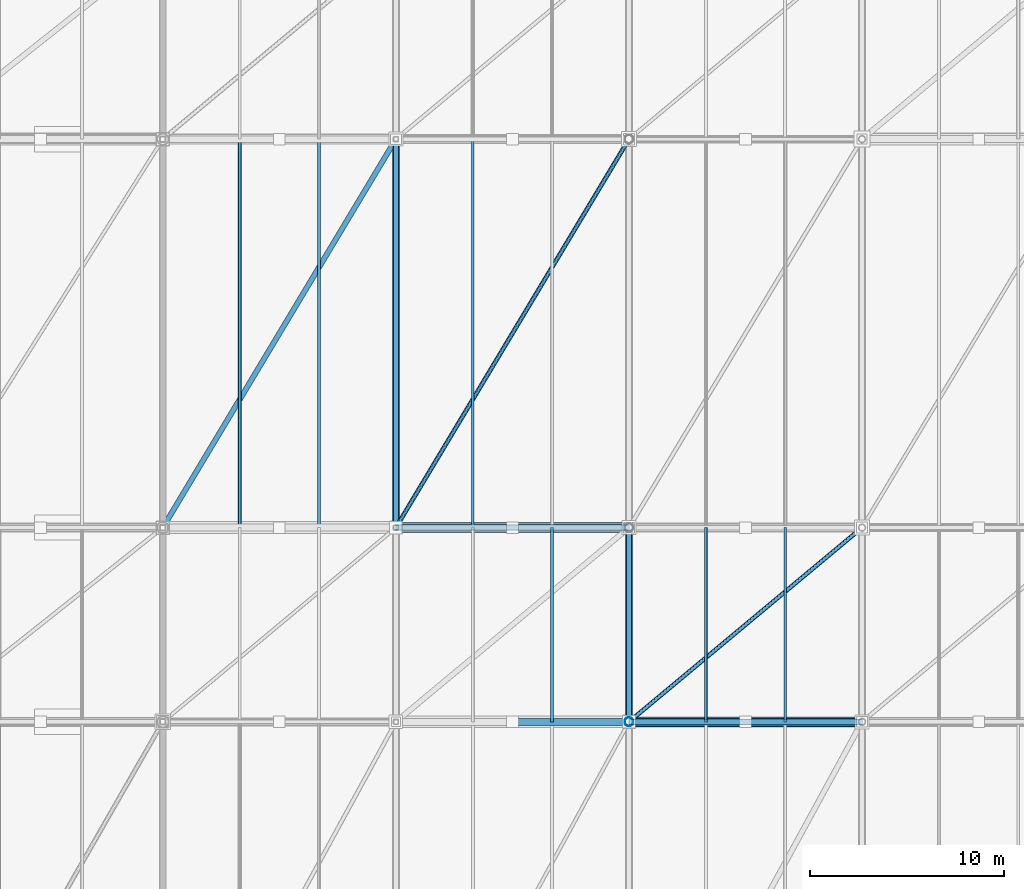
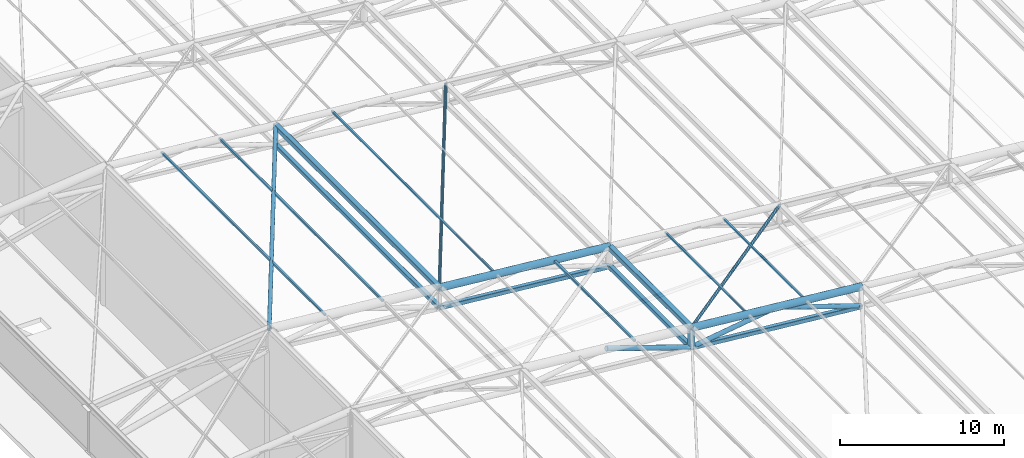
# One storey, part 14 of 44: 21 members.
"""IFC4 building model written with IfcOpenShell, lengths in metres."""

import ifcopenshell
import ifcopenshell.guid

model = None  # the IFC model being written
_history = None  # IfcOwnerHistory: only IFC2X3 demands one
_inside = {}  # id of a spatial element -> (the spatial element, [elements in it])
_under = {}  # id of a project, library or spatial element -> (it, [spatial elements below it])
_declared = {}  # id of a project -> (the project, [libraries it declares])
_typed = {}  # id of a type object -> (the type object, [elements of that type])
_made_of = {}  # id of a material, layer set ... -> (it, [elements and type objects made of it])


def new_model(schema):
    """Start an empty IFC model of exactly this schema.

    Asked for "IFC4X3", IfcOpenShell would pick the latest addendum, in which some entities
    have other attributes; the version numbers below select the first issue.
    IFC2X3 requires an IfcOwnerHistory on every rooted entity: one is made here for all.
    """
    global model, _history
    if schema == "IFC4X3":
        model = ifcopenshell.file(schema_version=(4, 3, 0, 0))
    else:
        model = ifcopenshell.file(schema=schema)
    _inside.clear()
    _under.clear()
    _declared.clear()
    _typed.clear()
    _made_of.clear()
    _history = None
    if model.schema == "IFC2X3":
        org = make("IfcOrganization", Name="unknown")
        user = make(
            "IfcPersonAndOrganization",
            ThePerson=make("IfcPerson", FamilyName="unknown"),
            TheOrganization=org,
        )
        app = make(
            "IfcApplication",
            ApplicationDeveloper=org,
            Version="unknown",
            ApplicationFullName="unknown",
            ApplicationIdentifier="unknown",
        )
        _history = make(
            "IfcOwnerHistory",
            OwningUser=user,
            OwningApplication=app,
            ChangeAction="ADDED",
            CreationDate=0,
        )
    return model


def make(cls, **values):
    """One entity of the class cls with the attributes given. An attribute that is None is left unset."""
    return model.create_entity(
        cls, **{name: value for name, value in values.items() if value is not None}
    )


def rooted(cls, **values):
    """An entity with a GlobalId (a new one), such as an element, a storey or a relation."""
    return make(cls, GlobalId=ifcopenshell.guid.new(), OwnerHistory=_history, **values)


def si_unit(unit_type, name, prefix=None):
    """IfcSIUnit, for example si_unit("LENGTHUNIT", "METRE", prefix="MILLI")."""
    return make("IfcSIUnit", UnitType=unit_type, Prefix=prefix, Name=name)


def assignment(units):
    """IfcUnitAssignment: the units of a project."""
    return None if units is None else make("IfcUnitAssignment", Units=units)


def point(xyz):
    """IfcCartesianPoint."""
    return None if xyz is None else make("IfcCartesianPoint", Coordinates=xyz)


def direction(xyz):
    """IfcDirection."""
    return None if xyz is None else make("IfcDirection", DirectionRatios=xyz)


def frame(location, z_axis=None, x_axis=None):
    """IfcAxis2Placement3D, a coordinate frame: its origin and axes. An axis left out is left unset."""
    return make(
        "IfcAxis2Placement3D",
        Location=point(location),
        Axis=direction(z_axis),
        RefDirection=direction(x_axis),
    )


def frame_2d(location, x_axis=None):
    """IfcAxis2Placement2D, a coordinate frame in the plane: its origin and x axis."""
    return make(
        "IfcAxis2Placement2D", Location=point(location), RefDirection=direction(x_axis)
    )


def origin():
    """The frame at (0, 0, 0) with its axes left unset."""
    return frame((0.0, 0.0, 0.0))


def origin_2d():
    """The frame at (0, 0) in the plane with its x axis left unset."""
    return frame_2d((0.0, 0.0))


def place(relative_to, where):
    """IfcLocalPlacement: puts the frame where relative to a parent placement (None: the world)."""
    return make(
        "IfcLocalPlacement", PlacementRelTo=relative_to, RelativePlacement=where
    )


def context(
    kind, dimensions, precision=None, world=None, true_north=None, identifier=None
):
    """IfcGeometricRepresentationContext, for example the 3D "Model" context."""
    return make(
        "IfcGeometricRepresentationContext",
        ContextIdentifier=identifier,
        ContextType=kind,
        CoordinateSpaceDimension=dimensions,
        Precision=precision,
        WorldCoordinateSystem=world,
        TrueNorth=true_north,
    )


def subcontext(parent, identifier, kind, view, scale=None):
    """IfcGeometricRepresentationSubContext, for example "Body" below "Model"."""
    return make(
        "IfcGeometricRepresentationSubContext",
        ContextIdentifier=identifier,
        ContextType=kind,
        ParentContext=parent,
        TargetScale=scale,
        TargetView=view,
    )


def project(units=None, contexts=None):
    """IfcProject with its units and contexts."""
    return rooted(
        "IfcProject",
        Name="project",
        RepresentationContexts=contexts,
        UnitsInContext=assignment(units),
    )


def spatial(cls, under=None, at=None, **own):
    """A site, building, storey or space (cls), placed at a placement, below another one or the project."""
    s = rooted(cls, ObjectPlacement=at, **own)
    if under is not None:
        _under.setdefault(under.id(), (under, []))[1].append(s)
    return s


def profile(cls, at=None, kind="AREA", **sizes):
    """A parametric profile (cls). Its sizes go by their IFC names, for example OverallWidth=200.0."""
    return make(cls, ProfileType=kind, Position=at, **sizes)


def hollow_rectangle(**sizes):
    """IfcRectangleHollowProfileDef."""
    return profile("IfcRectangleHollowProfileDef", **sizes)


def hollow_circle(**sizes):
    """IfcCircleHollowProfileDef."""
    return profile("IfcCircleHollowProfileDef", **sizes)


def extrude(swept, where, along, depth):
    """IfcExtrudedAreaSolid: the profile swept, set in the frame where, extruded along a direction by depth."""
    return make(
        "IfcExtrudedAreaSolid",
        SweptArea=swept,
        Position=where,
        ExtrudedDirection=direction(along),
        Depth=depth,
    )


def shape(context_of_items, identifier, shape_type, items):
    """IfcShapeRepresentation: the items that make up one representation, for example the "Body"."""
    return make(
        "IfcShapeRepresentation",
        ContextOfItems=context_of_items,
        RepresentationIdentifier=identifier,
        RepresentationType=shape_type,
        Items=items,
    )


def material(Name=None, Category=None):
    """IfcMaterial."""
    return make("IfcMaterial", Name=Name, Category=Category)


def material_profile(
    of_material, cross_section, Name=None, Category=None, Priority=None
):
    """IfcMaterialProfile: a cross section and its material."""
    return make(
        "IfcMaterialProfile",
        Name=Name,
        Material=of_material,
        Profile=cross_section,
        Priority=Priority,
        Category=Category,
    )


def profile_set(profiles, Name=None, composite=None):
    """IfcMaterialProfileSet."""
    return make(
        "IfcMaterialProfileSet",
        Name=Name,
        MaterialProfiles=profiles,
        CompositeProfile=composite,
    )


def made_of(thing, what):
    """Note that an element or type object is made of a material, layer set ...; save() writes the relation."""
    if what is not None:
        _made_of.setdefault(what.id(), (what, []))[1].append(thing)
    return thing


def type_object(cls, material=None, **own):
    """A type object (cls), such as IfcWallType, which elements share."""
    return made_of(rooted(cls, **own), material)


def element(
    cls,
    number,
    at=None,
    inside=None,
    cuts=None,
    type_object=None,
    material=None,
    context=None,
    identifier="Body",
    shape_type=None,
    held_by="IfcProductDefinitionShape",
    body=None,
    shapes=None,
    **own,
):
    """One element of the class cls, such as IfcWall. Its Tag is "e" and its number.

    at: its placement. inside: the storey or other place that contains it. cuts: it is an
    opening in that element (IfcRelVoidsElement). A single representation is given by context,
    identifier, shape_type and body (its items); several are given by shapes. held_by: the class
    of the entity that holds the representations. save() writes the other relations.
    """
    e = rooted(cls, Tag="e%d" % number, ObjectPlacement=at, **own)
    if body is not None:
        shapes = [shape(context, identifier, shape_type, body)]
    if shapes is not None:
        e.Representation = make(held_by, Representations=shapes)
    if inside is not None:
        _inside.setdefault(inside.id(), (inside, []))[1].append(e)
    if cuts is not None:
        rooted(
            "IfcRelVoidsElement", RelatingBuildingElement=cuts, RelatedOpeningElement=e
        )
    if type_object is not None:
        _typed.setdefault(type_object.id(), (type_object, []))[1].append(e)
    return made_of(e, material)


def aggregate(whole, parts):
    """IfcRelAggregates: a whole, such as a stair, and the parts it consists of."""
    return rooted("IfcRelAggregates", RelatingObject=whole, RelatedObjects=parts)


def save(model, path):
    """Write the relations noted so far, then the file.

    IfcRelAggregates (storeys below a building ...), IfcRelContainedInSpatialStructure (elements
    in a storey), IfcRelDefinesByType, IfcRelAssociatesMaterial and IfcRelDeclares: one each for
    every whole, place, type object, material and project.
    """
    for whole, parts in _under.values():
        aggregate(whole, parts)
    for where, things in _inside.values():
        rooted(
            "IfcRelContainedInSpatialStructure",
            RelatedElements=things,
            RelatingStructure=where,
        )
    for kind, things in _typed.values():
        rooted("IfcRelDefinesByType", RelatedObjects=things, RelatingType=kind)
    for what, things in _made_of.values():
        rooted("IfcRelAssociatesMaterial", RelatedObjects=things, RelatingMaterial=what)
    for by, libraries in _declared.values():
        rooted("IfcRelDeclares", RelatingContext=by, RelatedDefinitions=libraries)
    model.write(path)


model = new_model("IFC4")

# Units and contexts
model_context = context("Model", 3, precision=1e-05, world=origin(), true_north=direction((0.0, 1.0)))
body_context = subcontext(model_context, "Body", "Model", "MODEL_VIEW")
ifc_project = project(units=[si_unit("LENGTHUNIT", "METRE"), si_unit("AREAUNIT", "SQUARE_METRE"), si_unit("VOLUMEUNIT", "CUBIC_METRE"), si_unit("PLANEANGLEUNIT", "RADIAN"), si_unit("MASSUNIT", "GRAM", prefix="KILO")], contexts=[model_context])

# Site, building, storey
site_placement = place(None, origin())
site = spatial("IfcSite", under=ifc_project, at=site_placement, CompositionType="ELEMENT")
building_placement = place(site_placement, origin())
building = spatial("IfcBuilding", under=site, at=building_placement, Name="Brinegate Civic Arena", CompositionType="ELEMENT")
storey_placement = place(building_placement, frame((0.0, 0.0, 29.39990234375)))
storey = spatial("IfcBuildingStorey", under=building, at=storey_placement, Name="RF", CompositionType="ELEMENT", Elevation=29.39990234375)

# Members
ifc_material = material(Name="Steel S355", Category="steel")
ifc_material_profile_1 = material_profile(ifc_material, hollow_rectangle(XDim=0.139892578125, YDim=0.139892578125, WallThickness=0.008056640625, InnerFilletRadius=0.008056640625, OuterFilletRadius=0.01611328125, at=origin_2d()), Name="SHS140X8")
ifc_profile_set_1 = profile_set([ifc_material_profile_1], Name="Steel S355")
member_type_1 = type_object("IfcMemberType", Name="RF-PURLIN-SHS140", PredefinedType="PURLIN", material=ifc_profile_set_1)
for number, where, z_axis, x_axis, name in (
    (1, (87.9599609375, 42.0, 7.97412109375), (0.0, 1.0, 0.0), (-1.0, 0.0, 0.0), "Roof Purlin RFP-043"),
    (2, (92.0400390625, 42.0, 7.591064453125), (0.0, 1.0, 0.0), (-1.0, 0.0, 0.0), "Roof Purlin RFP-044"),
):
    element("IfcMember", number, at=place(storey_placement, frame(where, z_axis=z_axis, x_axis=x_axis)), inside=storey, type_object=member_type_1, Name=name, PredefinedType="PURLIN", context=body_context, shape_type="SweptSolid", body=[
        extrude(hollow_rectangle(XDim=0.139892578125, YDim=0.139892578125, WallThickness=0.008056640625, InnerFilletRadius=0.008056640625, OuterFilletRadius=0.01611328125, at=origin_2d()), origin(), (0.0, 0.0, 1.0), 10.0),
    ])
member_1_placement = place(storey_placement, frame((75.9599609375, 52.0, 9.09912109375), z_axis=(0.0, 1.0, 0.0), x_axis=(-1.0, 0.0, 0.0)))
element("IfcMember", 3, at=member_1_placement, inside=storey, type_object=member_type_1, Name="Roof Purlin RFP-059", PredefinedType="PURLIN", context=body_context, shape_type="SweptSolid", body=[
    extrude(hollow_rectangle(XDim=0.139892578125, YDim=0.139892578125, WallThickness=0.008056640625, InnerFilletRadius=0.008056640625, OuterFilletRadius=0.01611328125, at=origin_2d()), origin(), (0.0, 0.0, 1.0), 20.0),
])
ifc_material_profile_2 = material_profile(ifc_material, hollow_rectangle(XDim=0.159912109375, YDim=0.159912109375, WallThickness=0.008056640625, InnerFilletRadius=0.008056640625, OuterFilletRadius=0.01611328125, at=origin_2d()), Name="SHS160X8")
ifc_profile_set_2 = profile_set([ifc_material_profile_2], Name="Steel S355")
member_type_2 = type_object("IfcMemberType", Name="RF-PURLIN-SHS160", PredefinedType="PURLIN", material=ifc_profile_set_2)
member_2_placement = place(storey_placement, frame((80.0400390625, 42.0, 8.7060546875), z_axis=(0.0, 1.0, 0.0), x_axis=(-1.0, 0.0, 0.0)))
element("IfcMember", 4, at=member_2_placement, inside=storey, type_object=member_type_2, Name="Roof Purlin RFP-042", PredefinedType="PURLIN", context=body_context, shape_type="SweptSolid", body=[
    extrude(hollow_rectangle(XDim=0.159912109375, YDim=0.159912109375, WallThickness=0.008056640625, InnerFilletRadius=0.008056640625, OuterFilletRadius=0.01611328125, at=origin_2d()), origin(), (0.0, 0.0, 1.0), 10.0),
])
for number, where, z_axis, x_axis, name in (
    (5, (63.9599609375, 52.0, 10.214111328125), (0.0, 1.0, 0.0), (-1.0, 0.0, 0.0), "Roof Purlin RFP-057"),
    (6, (68.0400390625, 52.0, 9.8310546875), (0.0, 1.0, 0.0), (-1.0, 0.0, 0.0), "Roof Purlin RFP-058"),
):
    element("IfcMember", number, at=place(storey_placement, frame(where, z_axis=z_axis, x_axis=x_axis)), inside=storey, type_object=member_type_2, Name=name, PredefinedType="PURLIN", context=body_context, shape_type="SweptSolid", body=[
        extrude(hollow_rectangle(XDim=0.159912109375, YDim=0.159912109375, WallThickness=0.008056640625, InnerFilletRadius=0.008056640625, OuterFilletRadius=0.01611328125, at=origin_2d()), origin(), (0.0, 0.0, 1.0), 20.0),
    ])
ifc_material_profile_3 = material_profile(ifc_material, hollow_circle(Radius=0.109619140625, WallThickness=0.010009765625, at=origin_2d()), Name="CHS219X10")
ifc_profile_set_3 = profile_set([ifc_material_profile_3], Name="Steel S355")
member_type_3 = type_object("IfcMemberType", Name="SF-BRACE-CHS219", PredefinedType="BRACE", material=ifc_profile_set_3)
member_3_placement = place(storey_placement, frame((84.0, 42.0, 8.300048828125), z_axis=(0.766236619907, 0.638530516589, -0.071834683116), x_axis=(-0.640184399664, 0.768221279597, 0.0)))
element("IfcMember", 7, at=member_3_placement, inside=storey, type_object=member_type_3, Name="Roof Plan Diagonal Brace PL-3-4", PredefinedType="BRACE", context=body_context, shape_type="SweptSolid", body=[
    extrude(hollow_circle(Radius=0.109619140625, WallThickness=0.010009765625, at=origin_2d()), origin(), (0.0, 0.0, 1.0), 15.660888671875),
])
member_4_placement = place(storey_placement, frame((72.0, 52.0, 9.425048828125), z_axis=(0.513898306264, 0.856497177106, -0.048177966212), x_axis=(-0.857492925713, 0.514495755428, 0.0)))
element("IfcMember", 8, at=member_4_placement, inside=storey, type_object=member_type_3, Name="Roof Plan Diagonal Brace PL-4-3", PredefinedType="BRACE", context=body_context, shape_type="SweptSolid", body=[
    extrude(hollow_circle(Radius=0.109619140625, WallThickness=0.010009765625, at=origin_2d()), origin(), (0.0, 0.0, 1.0), 23.350830078125),
])
ifc_material_profile_4 = material_profile(ifc_material, hollow_circle(Radius=0.136474609375, WallThickness=0.011962890625, at=origin_2d()), Name="CHS273X12")
ifc_profile_set_4 = profile_set([ifc_material_profile_4], Name="Steel S355")
member_type_4 = type_object("IfcMemberType", Name="SF-BRACE-CHS273", PredefinedType="BRACE", material=ifc_profile_set_4)
member_5_placement = place(storey_placement, frame((60.0, 52.0, 10.550048828125), z_axis=(0.513898306264, 0.856497177106, -0.048177966212), x_axis=(-0.857492925713, 0.514495755428, 0.0)))
element("IfcMember", 9, at=member_5_placement, inside=storey, type_object=member_type_4, Name="Roof Plan Diagonal Brace PL-4-2", PredefinedType="BRACE", context=body_context, shape_type="SweptSolid", body=[
    extrude(hollow_circle(Radius=0.136474609375, WallThickness=0.011962890625, at=origin_2d()), origin(), (0.0, 0.0, 1.0), 23.350830078125),
])
ifc_material_profile_5 = material_profile(ifc_material, hollow_circle(Radius=0.162109375, WallThickness=0.011962890625, at=origin_2d()), Name="CHS324X12")
ifc_profile_set_5 = profile_set([ifc_material_profile_5], Name="Steel S355")
member_type_5 = type_object("IfcMemberType", Name="SF-BRACE-CHS324", PredefinedType="BRACE", material=ifc_profile_set_5)
member_6_placement = place(storey_placement, frame((84.0, 42.0, 6.85009765625), z_axis=(0.989226142737, 0.0, 0.1463954867), x_axis=(0.0, 1.0, 0.0)))
element("IfcMember", 10, at=member_6_placement, inside=storey, type_object=member_type_5, Name="Space Frame Web Brace D1-3-4", PredefinedType="BRACE", context=body_context, shape_type="SweptSolid", body=[
    extrude(hollow_circle(Radius=0.162109375, WallThickness=0.011962890625, at=origin_2d()), origin(), (0.0, 0.0, 1.0), 6.0654296875),
])
member_7_placement = place(storey_placement, frame((90.0, 42.0, 7.738037109375), z_axis=(0.948068139281, 0.0, -0.318067293635), x_axis=(0.0, 1.0, 0.0)))
element("IfcMember", 11, at=member_7_placement, inside=storey, type_object=member_type_5, Name="Space Frame Web Brace D2-3-4", PredefinedType="BRACE", context=body_context, shape_type="SweptSolid", body=[
    extrude(hollow_circle(Radius=0.162109375, WallThickness=0.011962890625, at=origin_2d()), origin(), (0.0, 0.0, 1.0), 6.32861328125),
])
ifc_material_profile_6 = material_profile(ifc_material, hollow_circle(Radius=0.177978515625, WallThickness=0.013916015625, at=origin_2d()), Name="CHS356X14")
ifc_profile_set_6 = profile_set([ifc_material_profile_6], Name="Steel S355")
member_type_6 = type_object("IfcMemberType", Name="SF-BRACE-CHS356", PredefinedType="BRACE", material=ifc_profile_set_6)
member_8_placement = place(storey_placement, frame((78.0, 42.0, 8.863037109375), z_axis=(0.948068139281, 0.0, -0.318067293635), x_axis=(0.0, 1.0, 0.0)))
element("IfcMember", 12, at=member_8_placement, inside=storey, type_object=member_type_6, Name="Space Frame Web Brace D2-3-3", PredefinedType="BRACE", context=body_context, shape_type="SweptSolid", body=[
    extrude(hollow_circle(Radius=0.177978515625, WallThickness=0.013916015625, at=origin_2d()), origin(), (0.0, 0.0, 1.0), 6.32861328125),
])
ifc_material_profile_7 = material_profile(ifc_material, hollow_circle(Radius=0.25390625, WallThickness=0.02001953125, at=origin_2d()), Name="CHS508X20")
ifc_profile_set_7 = profile_set([ifc_material_profile_7], Name="Steel S355")
member_type_7 = type_object("IfcMemberType", Name="SF-CHORD-CHS508", PredefinedType="CHORD", material=ifc_profile_set_7)
for number, where, z_axis, x_axis, name in (
    (13, (84.0, 42.0, 8.300048828125), (0.995634226059, 0.0, -0.093340708693), (0.0, 1.0, 0.0), "Space Frame Top Chord TX-3-4"),
    (14, (72.0, 52.0, 9.425048828125), (0.995634226059, 0.0, -0.093340708693), (0.0, 1.0, 0.0), "Space Frame Top Chord TX-4-3"),
):
    element("IfcMember", number, at=place(storey_placement, frame(where, z_axis=z_axis, x_axis=x_axis)), inside=storey, type_object=member_type_7, Name=name, PredefinedType="CHORD", context=body_context, shape_type="SweptSolid", body=[
        extrude(hollow_circle(Radius=0.25390625, WallThickness=0.02001953125, at=origin_2d()), origin(), (0.0, 0.0, 1.0), 12.052734375),
    ])
ifc_material_profile_8 = material_profile(ifc_material, hollow_rectangle(XDim=0.300048828125, YDim=0.300048828125, WallThickness=0.01611328125, InnerFilletRadius=0.01611328125, OuterFilletRadius=0.031982421875, at=origin_2d()), Name="SHS300X16")
ifc_profile_set_8 = profile_set([ifc_material_profile_8], Name="Steel S355")
member_type_8 = type_object("IfcMemberType", Name="SF-CHORD-SHS300", PredefinedType="CHORD", material=ifc_profile_set_8)
for number, where, z_axis, x_axis, name in (
    (15, (84.0, 42.0, 6.85009765625), (0.995634226059, 0.0, -0.093340708693), (0.0, 1.0, 0.0), "Space Frame Bottom Chord BX-3-4"),
    (16, (72.0, 52.0, 7.97509765625), (0.995634226059, 0.0, -0.093340708693), (0.0, 1.0, 0.0), "Space Frame Bottom Chord BX-4-3"),
):
    element("IfcMember", number, at=place(storey_placement, frame(where, z_axis=z_axis, x_axis=x_axis)), inside=storey, type_object=member_type_8, Name=name, PredefinedType="CHORD", context=body_context, shape_type="SweptSolid", body=[
        extrude(hollow_rectangle(XDim=0.300048828125, YDim=0.300048828125, WallThickness=0.01611328125, InnerFilletRadius=0.01611328125, OuterFilletRadius=0.031982421875, at=origin_2d()), origin(), (0.0, 0.0, 1.0), 12.052734375),
    ])
member_9_placement = place(storey_placement, frame((84.0, 42.0, 6.85009765625), z_axis=(0.0, 1.0, 0.0), x_axis=(-1.0, 0.0, 0.0)))
element("IfcMember", 17, at=member_9_placement, inside=storey, type_object=member_type_8, Name="Space Frame Cross Bottom Chord BY-3-4", PredefinedType="CHORD", context=body_context, shape_type="SweptSolid", body=[
    extrude(hollow_rectangle(XDim=0.300048828125, YDim=0.300048828125, WallThickness=0.01611328125, InnerFilletRadius=0.01611328125, OuterFilletRadius=0.031982421875, at=origin_2d()), origin(), (0.0, 0.0, 1.0), 10.0),
])
member_10_placement = place(storey_placement, frame((72.0, 52.0, 7.97509765625), z_axis=(0.0, 1.0, 0.0), x_axis=(-1.0, 0.0, 0.0)))
element("IfcMember", 18, at=member_10_placement, inside=storey, type_object=member_type_8, Name="Space Frame Cross Bottom Chord BY-4-3", PredefinedType="CHORD", context=body_context, shape_type="SweptSolid", body=[
    extrude(hollow_rectangle(XDim=0.300048828125, YDim=0.300048828125, WallThickness=0.01611328125, InnerFilletRadius=0.01611328125, OuterFilletRadius=0.031982421875, at=origin_2d()), origin(), (0.0, 0.0, 1.0), 20.0),
])
ifc_material_profile_9 = material_profile(ifc_material, hollow_rectangle(XDim=0.35009765625, YDim=0.35009765625, WallThickness=0.01611328125, InnerFilletRadius=0.01611328125, OuterFilletRadius=0.031982421875, at=origin_2d()), Name="SHS350X16")
ifc_profile_set_9 = profile_set([ifc_material_profile_9], Name="Steel S355")
member_type_9 = type_object("IfcMemberType", Name="SF-CHORD-SHS350", PredefinedType="CHORD", material=ifc_profile_set_9)
member_11_placement = place(storey_placement, frame((84.0, 42.0, 8.300048828125), z_axis=(0.0, 1.0, 0.0), x_axis=(-1.0, 0.0, 0.0)))
element("IfcMember", 19, at=member_11_placement, inside=storey, type_object=member_type_9, Name="Space Frame Cross Top Chord TY-3-4", PredefinedType="CHORD", context=body_context, shape_type="SweptSolid", body=[
    extrude(hollow_rectangle(XDim=0.35009765625, YDim=0.35009765625, WallThickness=0.01611328125, InnerFilletRadius=0.01611328125, OuterFilletRadius=0.031982421875, at=origin_2d()), origin(), (0.0, 0.0, 1.0), 10.0),
])
member_12_placement = place(storey_placement, frame((72.0, 52.0, 9.425048828125), z_axis=(0.0, 1.0, 0.0), x_axis=(-1.0, 0.0, 0.0)))
element("IfcMember", 20, at=member_12_placement, inside=storey, type_object=member_type_9, Name="Space Frame Cross Top Chord TY-4-3", PredefinedType="CHORD", context=body_context, shape_type="SweptSolid", body=[
    extrude(hollow_rectangle(XDim=0.35009765625, YDim=0.35009765625, WallThickness=0.01611328125, InnerFilletRadius=0.01611328125, OuterFilletRadius=0.031982421875, at=origin_2d()), origin(), (0.0, 0.0, 1.0), 20.0),
])
ifc_material_profile_10 = material_profile(ifc_material, hollow_circle(Radius=0.228515625, WallThickness=0.01611328125, at=origin_2d()), Name="CHS457X16")
ifc_profile_set_10 = profile_set([ifc_material_profile_10], Name="Steel S355")
member_type_10 = type_object("IfcMemberType", Name="SF-STRUT-CHS457", PredefinedType="STRUT", material=ifc_profile_set_10)
member_13_placement = place(storey_placement, frame((84.0, 42.0, 6.85009765625), z_axis=(0.0, 0.0, 1.0), x_axis=(1.0, 0.0, 0.0)))
element("IfcMember", 21, at=member_13_placement, inside=storey, type_object=member_type_10, Name="Space Frame Vertical Post V-3-4", PredefinedType="STRUT", context=body_context, shape_type="SweptSolid", body=[
    extrude(hollow_circle(Radius=0.228515625, WallThickness=0.01611328125, at=origin_2d()), origin(), (0.0, 0.0, 1.0), 1.449951171875),
])

save(model, "model.ifc")
